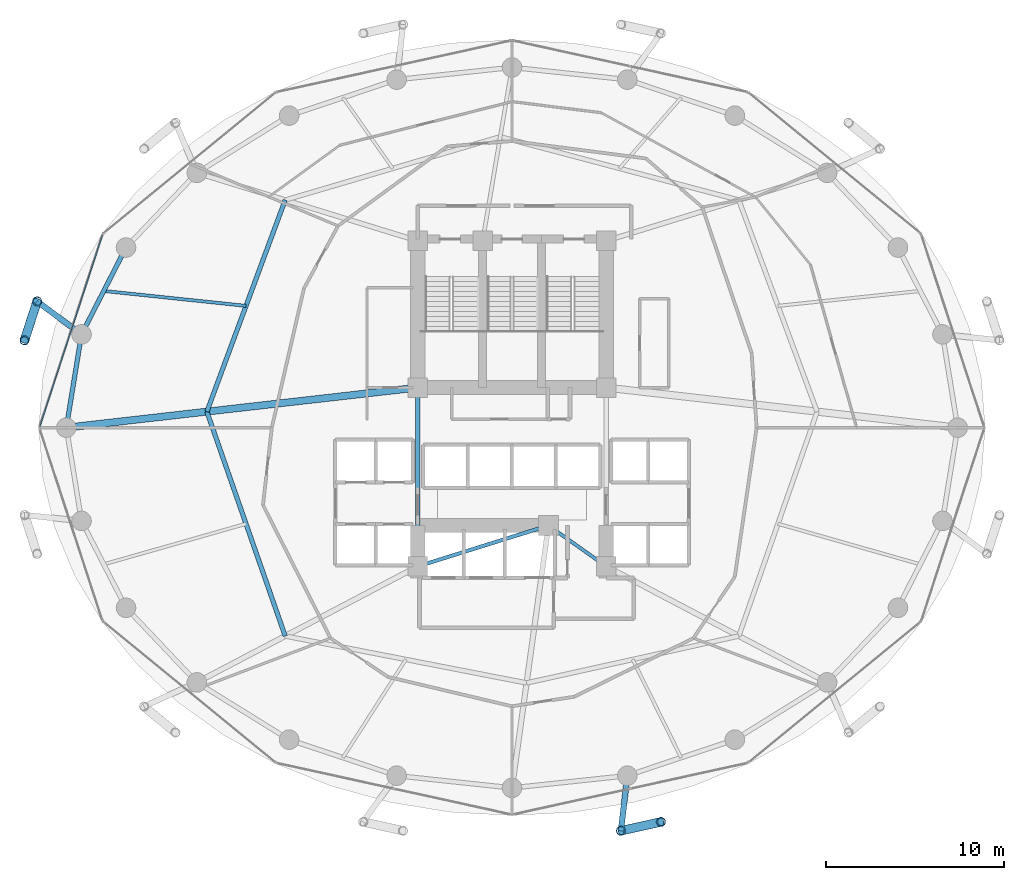
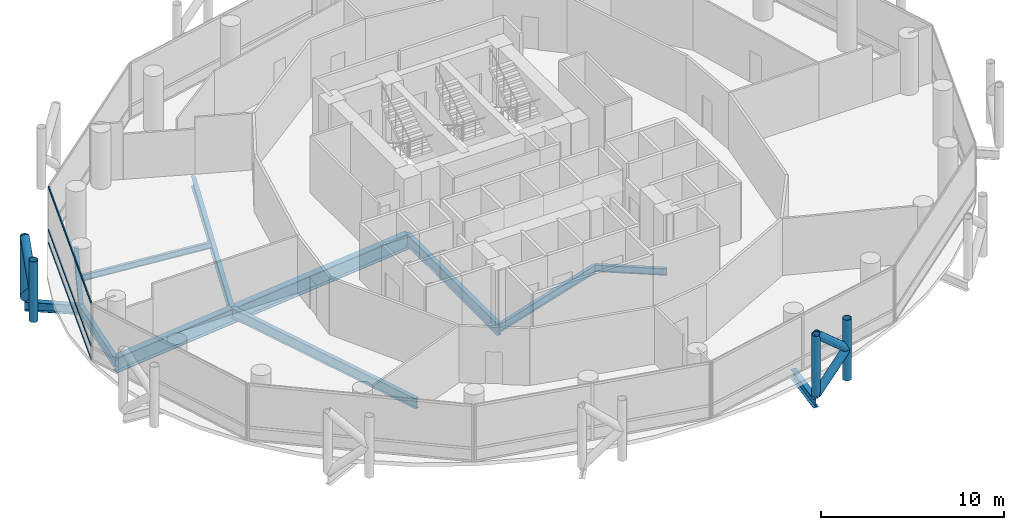
# One storey, part 7 of 25: 11 beams, 11 members, 1 element without a shape of its own.
"""IFC4 building model written with IfcOpenShell, lengths in metres."""

from ifc_helpers import new_model, si_unit, direction, frame, origin, origin_2d, place, context, subcontext, project, spatial, hollow_rectangle, hollow_circle, i_section, extrude, material, layer, layer_set, material_profile, profile_set, type_object, element, aggregate, save


model = new_model("IFC4")

# Units and contexts
model_context = context("Model", 3, precision=1e-05, world=origin(), true_north=direction((0.0, 1.0)))
body_context = subcontext(model_context, "Body", "Model", "MODEL_VIEW")
ifc_project = project(units=[si_unit("LENGTHUNIT", "METRE"), si_unit("AREAUNIT", "SQUARE_METRE"), si_unit("VOLUMEUNIT", "CUBIC_METRE"), si_unit("PLANEANGLEUNIT", "RADIAN"), si_unit("MASSUNIT", "GRAM", prefix="KILO")], contexts=[model_context])

# Site, building, storey
site_placement = place(None, origin())
site = spatial("IfcSite", under=ifc_project, at=site_placement, CompositionType="ELEMENT")
building_placement = place(site_placement, origin())
building = spatial("IfcBuilding", under=site, at=building_placement, Name="Nuhasar Tower", CompositionType="ELEMENT")
storey_placement = place(building_placement, frame((0.0, 0.0, 45.300048828125)))
storey = spatial("IfcBuildingStorey", under=building, at=storey_placement, Name="L10", CompositionType="ELEMENT", Elevation=45.300048828125)

# Beams
ifc_material_1 = material(Name="Steel S355", Category="steel")
ifc_material_profile_1 = material_profile(ifc_material_1, i_section(OverallWidth=0.25390625, OverallDepth=0.68408203125, WebThickness=0.012451171875, FlangeThickness=0.018798828125, at=origin_2d()), Name="W27X94")
ifc_profile_set_1 = profile_set([ifc_material_profile_1], Name="Steel S355")
beam_type_1 = type_object("IfcBeamType", Name="BM-INRING-W27X94", PredefinedType="BEAM", material=ifc_profile_set_1)
beam_1_placement = place(storey_placement, frame((26.251953125, 39.591064453125, -0.60205078125), z_axis=(-0.34715757476, -0.937806812881, 0.0), x_axis=(0.937806812881, -0.34715757476, 0.0)))
element("IfcBeam", 1, at=beam_1_placement, inside=storey, type_object=beam_type_1, Name="L10 Inner Header Beam 07", PredefinedType="BEAM", context=body_context, shape_type="SweptSolid", body=[
    extrude(i_section(OverallWidth=0.25390625, OverallDepth=0.68408203125, WebThickness=0.012451171875, FlangeThickness=0.018798828125, at=origin_2d()), origin(), (0.0, 0.0, 1.0), 12.6796875),
])
beam_2_placement = place(storey_placement, frame((21.85009765625, 27.699951171875, -0.60205078125), z_axis=(0.329554049858, -0.944136710558, 0.0), x_axis=(0.944136710558, 0.329554049858, 0.0)))
element("IfcBeam", 2, at=beam_2_placement, inside=storey, type_object=beam_type_1, Name="L10 Inner Header Beam 08", PredefinedType="BEAM", context=body_context, shape_type="SweptSolid", body=[
    extrude(i_section(OverallWidth=0.25390625, OverallDepth=0.68408203125, WebThickness=0.012451171875, FlangeThickness=0.018798828125, at=origin_2d()), origin(), (0.0, 0.0, 1.0), 13.35693359375),
])
ifc_material_profile_2 = material_profile(ifc_material_1, i_section(OverallWidth=0.177978515625, OverallDepth=0.406005859375, WebThickness=0.0078125, FlangeThickness=0.0126953125, at=origin_2d()), Name="W16X40")
ifc_profile_set_2 = profile_set([ifc_material_profile_2], Name="Steel S355")
beam_type_2 = type_object("IfcBeamType", Name="BM-JST-W16X40", PredefinedType="JOIST", material=ifc_profile_set_2)
beam_3_placement = place(storey_placement, frame((24.051025390625, 33.64501953125, -0.463134765625), z_axis=(-0.994554594377, 0.104216883485, 0.0), x_axis=(-0.104216883485, -0.994554594377, 0.0)))
element("IfcBeam", 3, at=beam_3_placement, inside=storey, type_object=beam_type_2, Name="L10 Secondary Floor Joist 07", PredefinedType="JOIST", context=body_context, shape_type="SweptSolid", body=[
    extrude(i_section(OverallWidth=0.177978515625, OverallDepth=0.406005859375, WebThickness=0.0078125, FlangeThickness=0.0126953125, at=origin_2d()), origin(), (0.0, 0.0, 1.0), 8.039794921875),
])
ifc_material_profile_3 = material_profile(ifc_material_1, i_section(OverallWidth=0.18994140625, OverallDepth=0.45703125, WebThickness=0.009033203125, FlangeThickness=0.014404296875, at=origin_2d()), Name="W18X50")
ifc_profile_set_3 = profile_set([ifc_material_profile_3], Name="Steel S355")
beam_type_3 = type_object("IfcBeamType", Name="BM-RAD-W18X50", PredefinedType="BEAM", material=ifc_profile_set_3)
beam_4_placement = place(storey_placement, frame((41.050048828125, 21.300048828125, -0.488037109375), z_axis=(0.816265428953, -0.577677028708, 0.0), x_axis=(0.577677028708, 0.816265428953, 0.0)))
element("IfcBeam", 4, at=beam_4_placement, inside=storey, type_object=beam_type_3, Name="L10 Core Ring Girder 2", PredefinedType="BEAM", context=body_context, shape_type="SweptSolid", body=[
    extrude(i_section(OverallWidth=0.18994140625, OverallDepth=0.45703125, WebThickness=0.009033203125, FlangeThickness=0.014404296875, at=origin_2d()), origin(), (0.0, 0.0, 1.0), 3.9814453125),
])
ifc_material_profile_4 = material_profile(ifc_material_1, i_section(OverallWidth=0.208984375, OverallDepth=0.532958984375, WebThickness=0.01025390625, FlangeThickness=0.015625, at=origin_2d()), Name="W21X62")
ifc_profile_set_4 = profile_set([ifc_material_profile_4], Name="Steel S355")
beam_type_4 = type_object("IfcBeamType", Name="BM-RAD-W21X62", PredefinedType="BEAM", material=ifc_profile_set_4)
beam_5_placement = place(storey_placement, frame((33.699951171875, 19.0, -0.527099609375), z_axis=(0.954363709454, 0.298646798205, 0.0), x_axis=(-0.298646798205, 0.954363709454, 0.0)))
element("IfcBeam", 5, at=beam_5_placement, inside=storey, type_object=beam_type_4, Name="L10 Core Ring Girder 1", PredefinedType="BEAM", context=body_context, shape_type="SweptSolid", body=[
    extrude(i_section(OverallWidth=0.208984375, OverallDepth=0.532958984375, WebThickness=0.01025390625, FlangeThickness=0.015625, at=origin_2d()), origin(), (0.0, 0.0, 1.0), 7.70166015625),
])
ifc_material_profile_5 = material_profile(ifc_material_1, i_section(OverallWidth=0.26611328125, OverallDepth=0.779052734375, WebThickness=0.0166015625, FlangeThickness=0.030029296875, at=origin_2d()), Name="W30X148")
ifc_profile_set_5 = profile_set([ifc_material_profile_5], Name="Steel S355")
beam_type_5 = type_object("IfcBeamType", Name="BM-RAD-W30X148", PredefinedType="BEAM", material=ifc_profile_set_5)
beam_6_placement = place(storey_placement, frame((33.699951171875, 29.050048828125, -0.649169921875), z_axis=(0.0, -1.0, 0.0), x_axis=(1.0, 0.0, 0.0)))
element("IfcBeam", 6, at=beam_6_placement, inside=storey, type_object=beam_type_5, Name="L10 Core Ring Girder 8", PredefinedType="BEAM", context=body_context, shape_type="SweptSolid", body=[
    extrude(i_section(OverallWidth=0.26611328125, OverallDepth=0.779052734375, WebThickness=0.0166015625, FlangeThickness=0.030029296875, at=origin_2d()), origin(), (0.0, 0.0, 1.0), 10.050048828125),
])
ifc_material_profile_6 = material_profile(ifc_material_1, i_section(OverallWidth=0.256103515625, OverallDepth=0.693115234375, WebThickness=0.014404296875, FlangeThickness=0.023681640625, at=origin_2d()), Name="W27X114")
ifc_profile_set_6 = profile_set([ifc_material_profile_6], Name="Steel S355")
beam_type_6 = type_object("IfcBeamType", Name="BM-RING-W27X114", PredefinedType="SPANDREL", material=ifc_profile_set_6)
beam_7_placement = place(storey_placement, frame((17.305908203125, 36.925048828125, -0.60595703125), z_axis=(-0.455930023905, -0.890015625314, 0.0), x_axis=(0.890015625314, -0.455930023905, 0.0)))
element("IfcBeam", 7, at=beam_7_placement, inside=storey, type_object=beam_type_6, Name="L10 Perimeter Ring Spandrel 11", PredefinedType="SPANDREL", context=body_context, shape_type="SweptSolid", body=[
    extrude(i_section(OverallWidth=0.256103515625, OverallDepth=0.693115234375, WebThickness=0.014404296875, FlangeThickness=0.023681640625, at=origin_2d()), origin(), (0.0, 0.0, 1.0), 5.487548828125),
])
beam_8_placement = place(storey_placement, frame((14.803955078125, 32.041015625, -0.60595703125), z_axis=(-0.160826635486, -0.986982671235, 0.0), x_axis=(0.986982671235, -0.160826635486, 0.0)))
element("IfcBeam", 8, at=beam_8_placement, inside=storey, type_object=beam_type_6, Name="L10 Perimeter Ring Spandrel 12", PredefinedType="SPANDREL", context=body_context, shape_type="SweptSolid", body=[
    extrude(i_section(OverallWidth=0.256103515625, OverallDepth=0.693115234375, WebThickness=0.014404296875, FlangeThickness=0.023681640625, at=origin_2d()), origin(), (0.0, 0.0, 1.0), 5.31005859375),
])
ifc_material_profile_7 = material_profile(ifc_material_1, i_section(OverallWidth=0.323974609375, OverallDepth=0.611083984375, WebThickness=0.0126953125, FlangeThickness=0.01904296875, at=origin_2d()), Name="W24X104")
ifc_profile_set_7 = profile_set([ifc_material_profile_7], Name="Steel S355")
beam_type_7 = type_object("IfcBeamType", Name="BM-TIE-W24X104", PredefinedType="BEAM", material=ifc_profile_set_7)
beam_9_placement = place(storey_placement, frame((14.803955078125, 32.041015625, -0.566162109375), z_axis=(-0.802151061326, 0.597121155892, 0.0), x_axis=(-0.597121155892, -0.802151061326, 0.0)))
element("IfcBeam", 9, at=beam_9_placement, inside=storey, type_object=beam_type_7, Name="L10 Exoskeleton Node Tie Beam 06", PredefinedType="BEAM", context=body_context, shape_type="SweptSolid", body=[
    extrude(i_section(OverallWidth=0.323974609375, OverallDepth=0.611083984375, WebThickness=0.0126953125, FlangeThickness=0.01904296875, at=origin_2d()), origin(), (0.0, 0.0, 1.0), 3.111328125),
])
beam_10_placement = place(storey_placement, frame((45.48291015625, 7.239990234375, -0.566162109375), z_axis=(-0.115042934281, -0.993360520291, 0.0), x_axis=(0.993360520291, -0.115042934281, 0.0)))
element("IfcBeam", 10, at=beam_10_placement, inside=storey, type_object=beam_type_7, Name="L10 Exoskeleton Node Tie Beam 10", PredefinedType="BEAM", context=body_context, shape_type="SweptSolid", body=[
    extrude(i_section(OverallWidth=0.323974609375, OverallDepth=0.611083984375, WebThickness=0.0126953125, FlangeThickness=0.01904296875, at=origin_2d()), origin(), (0.0, 0.0, 1.0), 3.11962890625),
])
ifc_material_2 = material(Name="Steel S460", Category="steel")
ifc_material_profile_8 = material_profile(ifc_material_2, i_section(OverallWidth=0.40087890625, OverallDepth=1.010009765625, WebThickness=0.023681640625, FlangeThickness=0.0419921875, at=origin_2d()), Name="W40X297")
ifc_profile_set_8 = profile_set([ifc_material_profile_8], Name="Steel S460")
beam_type_8 = type_object("IfcBeamType", Name="BM-XFER-W40X297", PredefinedType="USERDEFINED", material=ifc_profile_set_8)
beam_11_placement = place(storey_placement, frame((33.699951171875, 29.050048828125, -0.76513671875), z_axis=(-0.993573147212, -0.113191877531, 0.0), x_axis=(0.113191877531, -0.993573147212, 0.0)))
element("IfcBeam", 11, at=beam_11_placement, inside=storey, type_object=beam_type_8, Name="L10 Radial Floor Girder 08", ObjectType="GIRDER", PredefinedType="USERDEFINED", context=body_context, shape_type="SweptSolid", body=[
    extrude(i_section(OverallWidth=0.40087890625, OverallDepth=1.010009765625, WebThickness=0.023681640625, FlangeThickness=0.0419921875, at=origin_2d()), origin(), (0.0, 0.0, 1.0), 19.877685546875),
])

# Curtain wall, members
ifc_material_3 = material(Name="Aluminium 6063-T6", Category="aluminium")
ifc_layer = layer(ifc_material_3, 0.199951171875)
ifc_layer_set = layer_set([ifc_layer], Name="Aluminium 6063-T6")
curtain_wall_type = type_object("IfcCurtainWallType", Name="CW-Z1-OFF", PredefinedType="NOTDEFINED", material=ifc_layer_set)
curtain_wall_placement = place(storey_placement, origin())
curtain_wall = element("IfcCurtainWall", 12, at=curtain_wall_placement, inside=storey, type_object=curtain_wall_type, Name="L10 Unitised Curtain Wall 06", PredefinedType="NOTDEFINED")
ifc_material_profile_9 = material_profile(ifc_material_3, hollow_rectangle(XDim=0.06494140625, YDim=0.14990234375, WallThickness=0.00439453125, at=origin_2d()), Name="CWT-2")
ifc_profile_set_9 = profile_set([ifc_material_profile_9], Name="Aluminium 6063-T6")
member_type_1 = type_object("IfcMemberType", Name="CW-TRN-S2", PredefinedType="USERDEFINED", material=ifc_profile_set_9)
member_1_placement = place(storey_placement, frame((15.977783203125, 37.6181640625, 0.032470703125), z_axis=(-0.31082506089, -0.950467138581, 0.0), x_axis=(0.950467138581, -0.31082506089, 0.0)))
member_1 = element("IfcMember", 13, at=member_1_placement, type_object=member_type_1, Name="CW-Z1 transom 1.1", ObjectType="TRANSOM", PredefinedType="USERDEFINED", context=body_context, shape_type="SweptSolid", body=[
    extrude(hollow_rectangle(XDim=0.06494140625, YDim=0.14990234375, WallThickness=0.00439453125, at=origin_2d()), origin(), (0.0, 0.0, 1.0), 11.31689453125),
])
member_2_placement = place(storey_placement, frame((15.977783203125, 37.6181640625, 0.89990234375), z_axis=(-0.31082506089, -0.950467138581, 0.0), x_axis=(0.950467138581, -0.31082506089, 0.0)))
member_2 = element("IfcMember", 14, at=member_2_placement, type_object=member_type_1, Name="CW-Z1 transom 1.2", ObjectType="TRANSOM", PredefinedType="USERDEFINED", context=body_context, shape_type="SweptSolid", body=[
    extrude(hollow_rectangle(XDim=0.06494140625, YDim=0.14990234375, WallThickness=0.00439453125, at=origin_2d()), origin(), (0.0, 0.0, 1.0), 11.31689453125),
])
member_3_placement = place(storey_placement, frame((15.977783203125, 37.6181640625, 3.757568359375), z_axis=(-0.31082506089, -0.950467138581, 0.0), x_axis=(0.950467138581, -0.31082506089, 0.0)))
member_3 = element("IfcMember", 15, at=member_3_placement, type_object=member_type_1, Name="CW-Z1 transom 1.3", ObjectType="TRANSOM", PredefinedType="USERDEFINED", context=body_context, shape_type="SweptSolid", body=[
    extrude(hollow_rectangle(XDim=0.06494140625, YDim=0.14990234375, WallThickness=0.00439453125, at=origin_2d()), origin(), (0.0, 0.0, 1.0), 11.31689453125),
])
aggregate(curtain_wall, [member_1, member_2, member_3])

# Members
ifc_material_profile_10 = material_profile(ifc_material_2, hollow_circle(Radius=0.25390625, WallThickness=0.025390625, at=origin_2d()), Name="HSS508X25.4")
ifc_profile_set_10 = profile_set([ifc_material_profile_10], Name="Steel S460")
member_type_2 = type_object("IfcMemberType", Name="EXO-BRONZE-508", PredefinedType="BRACE", material=ifc_profile_set_10)
for number, where, z_axis, x_axis, name in (
    (16, (12.30810546875, 33.89892578125, 0.0), (0.0, 0.0, 1.0), (1.0, 0.0, 0.0), "L10 Exoskeleton Chord Column EC-06A"),
    (17, (11.60009765625, 31.7099609375, 0.0), (0.0, 0.0, 1.0), (1.0, 0.0, 0.0), "L10 Exoskeleton Chord Column EC-06B"),
    (18, (45.1240234375, 4.14111328125, 0.0), (0.0, 0.0, 1.0), (1.0, 0.0, 0.0), "L10 Exoskeleton Chord Column EC-10A"),
    (19, (47.3701171875, 4.639892578125, 0.0), (0.0, 0.0, 1.0), (1.0, 0.0, 0.0), "L10 Exoskeleton Chord Column EC-10B"),
):
    element("IfcMember", number, at=place(storey_placement, frame(where, z_axis=z_axis, x_axis=x_axis)), inside=storey, type_object=member_type_2, Name=name, PredefinedType="BRACE", context=body_context, shape_type="SweptSolid", body=[
        extrude(hollow_circle(Radius=0.25390625, WallThickness=0.025390625, at=origin_2d()), origin(), (0.0, 0.0, 1.0), 4.050048828125),
    ])
member_4_placement = place(storey_placement, frame((12.30810546875, 33.89892578125, 0.0), z_axis=(-0.231011836313, -0.714224870475, 0.660693851854), x_axis=(0.951468282519, -0.307746823478, 0.0)))
element("IfcMember", 20, at=member_4_placement, inside=storey, type_object=member_type_2, Name="L10 Bronze Diagrid Brace W1-06", PredefinedType="BRACE", context=body_context, shape_type="SweptSolid", body=[
    extrude(hollow_circle(Radius=0.25390625, WallThickness=0.025390625, at=origin_2d()), origin(), (0.0, 0.0, 1.0), 3.064697265625),
])
for number, where, z_axis, x_axis, name in (
    (21, (11.60009765625, 31.7099609375, 2.02490234375), (0.230999678299, 0.714187281251, 0.660738734997), (-0.951468282519, 0.307746823478, 0.0), "L10 Bronze Diagrid Brace W2-06"),
    (22, (45.1240234375, 4.14111328125, 0.0), (0.732830973624, 0.162736269469, 0.66066305383), (-0.216784396973, 0.976219506683, 0.0), "L10 Bronze Diagrid Brace W1-10"),
):
    element("IfcMember", number, at=place(storey_placement, frame(where, z_axis=z_axis, x_axis=x_axis)), inside=storey, type_object=member_type_2, Name=name, PredefinedType="BRACE", context=body_context, shape_type="SweptSolid", body=[
        extrude(hollow_circle(Radius=0.25390625, WallThickness=0.025390625, at=origin_2d()), origin(), (0.0, 0.0, 1.0), 3.06494140625),
    ])
member_5_placement = place(storey_placement, frame((47.3701171875, 4.639892578125, 2.02490234375), z_axis=(-0.732792408767, -0.162727705556, 0.660707938122), x_axis=(0.216784396973, -0.976219506683, 0.0)))
element("IfcMember", 23, at=member_5_placement, inside=storey, type_object=member_type_2, Name="L10 Bronze Diagrid Brace W2-10", PredefinedType="BRACE", context=body_context, shape_type="SweptSolid", body=[
    extrude(hollow_circle(Radius=0.25390625, WallThickness=0.025390625, at=origin_2d()), origin(), (0.0, 0.0, 1.0), 3.065185546875),
])

save(model, "model.ifc")
